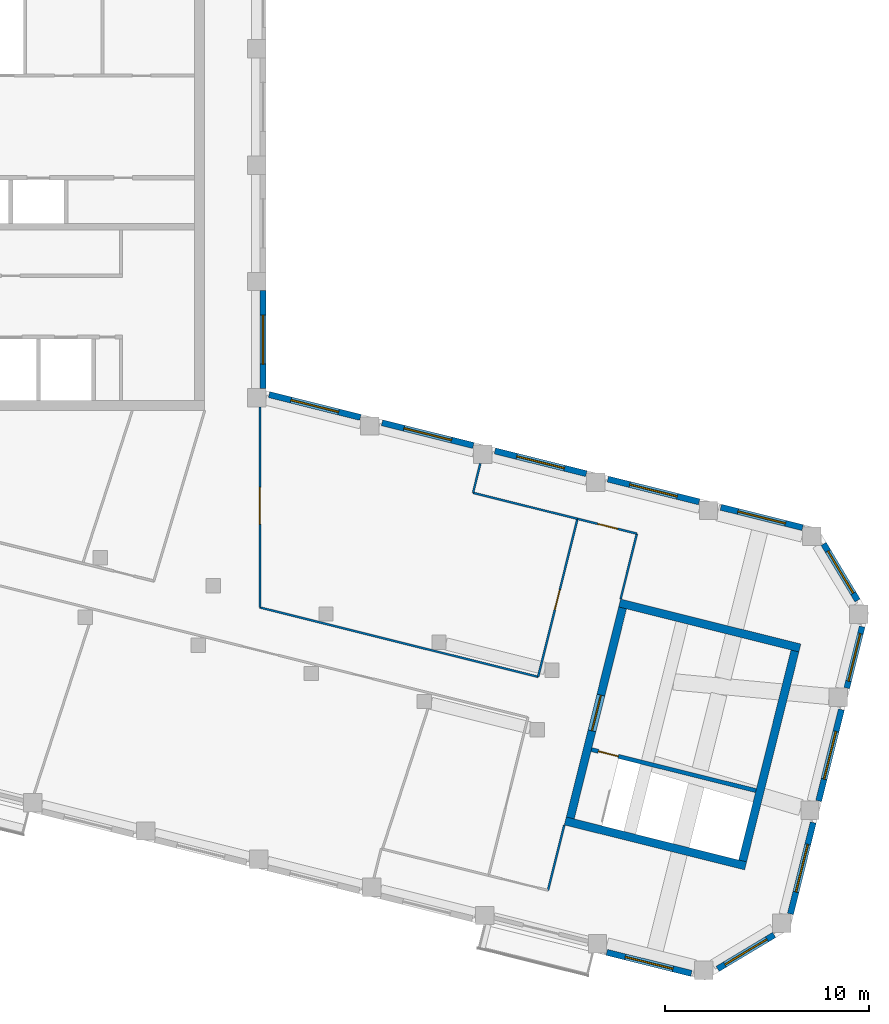
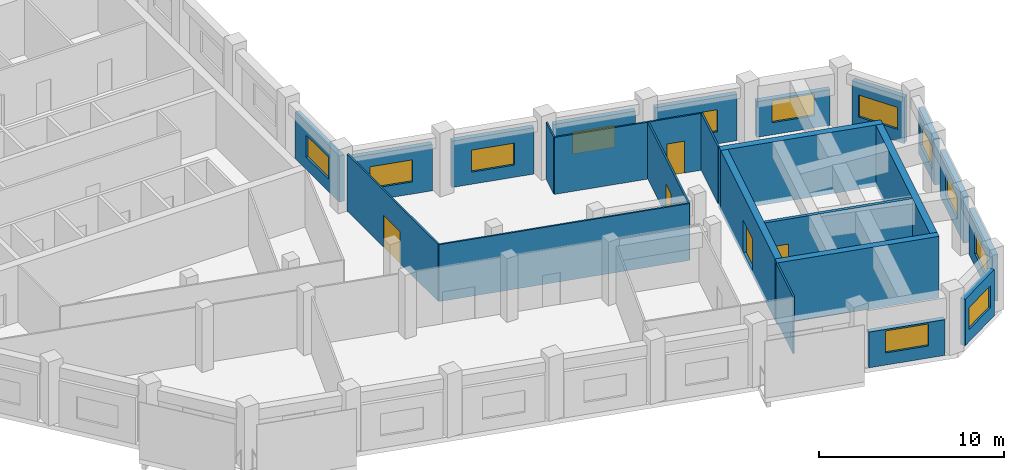
# One storey, part 4 of 8: 25 walls, 12 windows, 5 doors, 17 openings.
"""IFC4 building model written with IfcOpenShell, lengths in metres."""

from ifc_helpers import new_model, si_unit, direction, frame, frame_2d, origin, place, context, subcontext, project, spatial, rectangle, extrude, material, layer, layer_set, type_object, element, fill, save


model = new_model("IFC4")

# Units and contexts
model_context = context("Model", 3, precision=1e-05, world=origin(), true_north=direction((0.0, 1.0)))
body_context = subcontext(model_context, "Body", "Model", "MODEL_VIEW")
ifc_project = project(units=[si_unit("LENGTHUNIT", "METRE"), si_unit("AREAUNIT", "SQUARE_METRE"), si_unit("VOLUMEUNIT", "CUBIC_METRE"), si_unit("PLANEANGLEUNIT", "RADIAN"), si_unit("MASSUNIT", "GRAM", prefix="KILO")], contexts=[model_context])

# Site, building, storey
site_placement = place(None, origin())
site = spatial("IfcSite", under=ifc_project, at=site_placement, CompositionType="ELEMENT")
building_placement = place(site_placement, origin())
building = spatial("IfcBuilding", under=site, at=building_placement, Name="Meshkara Civic Tower", CompositionType="ELEMENT")
storey_placement = place(building_placement, frame((0.0, 0.0, 396.0)))
storey = spatial("IfcBuildingStorey", under=building, at=storey_placement, Name="L91", CompositionType="ELEMENT", Elevation=396.0)

# Wall, opening, door
ifc_material_1 = material(Name="Corridor wall 100")
ifc_layer_1 = layer(ifc_material_1, 0.10009765625)
ifc_layer_set_1 = layer_set([ifc_layer_1], Name="Corridor wall 100")
wall_type_1 = type_object("IfcWallType", Name="Corridor wall 100", PredefinedType="PARTITIONING", material=ifc_layer_set_1)
wall_1_placement = place(storey_placement, frame((33.5, 4.4541015625, 0.0), z_axis=(0.0, 0.0, 1.0), x_axis=(0.0, 1.0, 0.0)))
wall_1 = element("IfcWall", 1, at=wall_1_placement, inside=storey, type_object=wall_type_1, Name="L91-W015", PredefinedType="PARTITIONING", context=body_context, shape_type="SweptSolid", body=[
    extrude(rectangle(XDim=9.81494140625, YDim=0.10009765625, at=frame_2d((4.907470703125, 0.0))), origin(), (0.0, 0.0, 1.0), 3.75),
])
opening_1_placement = place(wall_1_placement, frame((4.080078125, 0.0, 0.0)))
opening_1 = element("IfcOpeningElement", 2, at=opening_1_placement, cuts=wall_1, Name="Opening L91-D009", PredefinedType="OPENING", context=body_context, shape_type="SweptSolid", body=[
    extrude(rectangle(XDim=1.800048828125, YDim=2.10009765625, at=frame_2d((0.89990234375, 1.050048828125))), frame((0.0, 0.06005859375, 0.0), z_axis=(0.0, -1.0, 0.0), x_axis=(1.0, 0.0, 0.0)), (0.0, 0.0, 1.0), 0.1201171875),
])
ifc_material_2 = material(Name="Door pair 1800 x 2100")
door_type_1 = type_object("IfcDoorType", Name="Door pair 1800 x 2100", OperationType="SINGLE_SWING_LEFT", PredefinedType="DOOR", material=ifc_material_2)
door_1_placement = place(opening_1_placement, origin())
door_1 = element("IfcDoor", 3, at=door_1_placement, inside=storey, type_object=door_type_1, Name="L91-D009", OperationType="DOUBLE_DOOR_SINGLE_SWING", OverallHeight=2.10009765625, OverallWidth=1.800048828125, PredefinedType="DOOR", context=body_context, shape_type="SweptSolid", body=[
    extrude(rectangle(XDim=1.800048828125, YDim=2.10009765625, at=frame_2d((0.89990234375, 1.050048828125))), frame((0.0, 0.02490234375, 0.0), z_axis=(0.0, -1.0, 0.0), x_axis=(1.0, 0.0, 0.0)), (0.0, 0.0, 1.0), 0.050048828125),
])
fill(opening_1, door_1)

# Walls
wall_2_placement = place(storey_placement, frame((47.1259765625, 1.056884765625, 0.0), z_axis=(0.0, 0.0, 1.0), x_axis=(-0.970297744229, 0.241913801888, 0.0)))
element("IfcWall", 4, at=wall_2_placement, inside=storey, type_object=wall_type_1, Name="L91-W018", PredefinedType="PARTITIONING", context=body_context, shape_type="SweptSolid", body=[
    extrude(rectangle(XDim=14.04296875, YDim=0.10009765625, at=frame_2d((7.021484375, 0.0))), origin(), (0.0, 0.0, 1.0), 3.75),
])
wall_3_placement = place(storey_placement, frame((47.611083984375, -9.39697265625, 0.0), z_axis=(0.0, 0.0, 1.0), x_axis=(0.241786986316, 0.970329352977, 0.0)))
element("IfcWall", 5, at=wall_3_placement, inside=storey, type_object=wall_type_1, Name="L91-W019", PredefinedType="PARTITIONING", context=body_context, shape_type="SweptSolid", body=[
    extrude(rectangle(XDim=3.2998046875, YDim=0.10009765625, at=frame_2d((1.64990234375, 0.0))), origin(), (0.0, 0.0, 1.0), 3.75),
])

# Wall, opening, door
wall_4_placement = place(storey_placement, frame((49.054931640625, 8.7939453125, 0.0), z_axis=(0.0, 0.0, 1.0), x_axis=(-0.241908816319, -0.970298987213, 0.0)))
wall_4 = element("IfcWall", 6, at=wall_4_placement, inside=storey, type_object=wall_type_1, Name="L91-W020", PredefinedType="PARTITIONING", context=body_context, shape_type="SweptSolid", body=[
    extrude(rectangle(XDim=7.973876953125, YDim=0.10009765625, at=frame_2d((3.98681640625, 0.0))), origin(), (0.0, 0.0, 1.0), 3.75),
])
opening_2_placement = place(wall_4_placement, frame((3.580078125, 0.0, 0.0)))
opening_2 = element("IfcOpeningElement", 7, at=opening_2_placement, cuts=wall_4, Name="Opening L91-D005", PredefinedType="OPENING", context=body_context, shape_type="SweptSolid", body=[
    extrude(rectangle(XDim=1.0, YDim=2.10009765625, at=frame_2d((0.5, 1.050048828125))), frame((0.0, 0.06005859375, 0.0), z_axis=(0.0, -1.0, 0.0), x_axis=(1.0, 0.0, 0.0)), (0.0, 0.0, 1.0), 0.1201171875),
])
ifc_material_3 = material(Name="Door 1000 x 2100")
door_type_2 = type_object("IfcDoorType", Name="Door 1000 x 2100", OperationType="SINGLE_SWING_LEFT", PredefinedType="DOOR", material=ifc_material_3)
door_2_placement = place(opening_2_placement, origin())
door_2 = element("IfcDoor", 8, at=door_2_placement, inside=storey, type_object=door_type_2, Name="L91-D005", OperationType="SINGLE_SWING_LEFT", OverallHeight=2.10009765625, OverallWidth=1.0, PredefinedType="DOOR", context=body_context, shape_type="SweptSolid", body=[
    extrude(rectangle(XDim=1.0, YDim=2.10009765625, at=frame_2d((0.5, 1.050048828125))), frame((0.0, 0.02490234375, 0.0), z_axis=(0.0, -1.0, 0.0), x_axis=(1.0, 0.0, 0.0)), (0.0, 0.0, 1.0), 0.050048828125),
])
fill(opening_2, door_2)

# Wall
wall_5_placement = place(storey_placement, frame((51.1669921875, 4.865966796875, 0.0), z_axis=(0.0, 0.0, 1.0), x_axis=(0.241839284064, 0.97031631991, 0.0)))
element("IfcWall", 9, at=wall_5_placement, inside=storey, type_object=wall_type_1, Name="L91-W021", PredefinedType="PARTITIONING", context=body_context, shape_type="SweptSolid", body=[
    extrude(rectangle(XDim=3.300048828125, YDim=0.10009765625, at=frame_2d((1.64990234375, 0.0))), origin(), (0.0, 0.0, 1.0), 3.75),
])

# Wall, opening, door
wall_6_placement = place(storey_placement, frame((51.965087890625, 8.068115234375, 0.0), z_axis=(0.0, 0.0, 1.0), x_axis=(-0.970276420912, 0.241999312028, 0.0)))
wall_6 = element("IfcWall", 10, at=wall_6_placement, inside=storey, type_object=wall_type_1, Name="L91-W022", PredefinedType="PARTITIONING", context=body_context, shape_type="SweptSolid", body=[
    extrude(rectangle(XDim=2.999267578125, YDim=0.10009765625, at=frame_2d((1.49951171875, 0.0))), origin(), (0.0, 0.0, 1.0), 3.75),
])
opening_3_placement = place(wall_6_placement, frame((0.97998046875, 0.0, 0.0)))
opening_3 = element("IfcOpeningElement", 11, at=opening_3_placement, cuts=wall_6, Name="Opening L91-D010", PredefinedType="OPENING", context=body_context, shape_type="SweptSolid", body=[
    extrude(rectangle(XDim=1.0, YDim=2.10009765625, at=frame_2d((0.5, 1.050048828125))), frame((0.0, 0.06005859375, 0.0), z_axis=(0.0, -1.0, 0.0), x_axis=(1.0, 0.0, 0.0)), (0.0, 0.0, 1.0), 0.1201171875),
])
door_3_placement = place(opening_3_placement, origin())
door_3 = element("IfcDoor", 12, at=door_3_placement, inside=storey, type_object=door_type_2, Name="L91-D010", OperationType="SINGLE_SWING_RIGHT", OverallHeight=2.10009765625, OverallWidth=1.0, PredefinedType="DOOR", context=body_context, shape_type="SweptSolid", body=[
    extrude(rectangle(XDim=1.0, YDim=2.10009765625, at=frame_2d((0.5, 1.050048828125))), frame((0.0, 0.02490234375, 0.0), z_axis=(0.0, -1.0, 0.0), x_axis=(1.0, 0.0, 0.0)), (0.0, 0.0, 1.0), 0.050048828125),
])
fill(opening_3, door_3)

# Wall, opening, window
ifc_material_4 = material(Name="Insulated infill panel with bronze anodised aluminium cladding", Category="aluminium")
ifc_layer_2 = layer(ifc_material_4, 0.300048828125)
ifc_layer_set_2 = layer_set([ifc_layer_2], Name="EXTERNAL INFILL WALL 300")
wall_type_2 = type_object("IfcWallType", Name="EXTERNAL INFILL WALL 300", PredefinedType="SOLIDWALL", material=ifc_layer_set_2)
wall_7_placement = place(storey_placement, frame((60.075927734375, 8.364990234375, 0.0), z_axis=(0.0, 0.0, 1.0), x_axis=(-0.970323340708, 0.24181111322, 0.0)))
wall_7 = element("IfcWall", 13, at=wall_7_placement, inside=storey, type_object=wall_type_2, Name="External wall", PredefinedType="SOLIDWALL", context=body_context, shape_type="SweptSolid", body=[
    extrude(rectangle(XDim=4.123291015625, YDim=0.300048828125, at=frame_2d((2.0615234375, 0.0))), origin(), (0.0, 0.0, 1.0), 2.35009765625),
])
opening_4_placement = place(wall_7_placement, frame((0.862060546875, 0.0, 0.800048828125)))
opening_4 = element("IfcOpeningElement", 14, at=opening_4_placement, cuts=wall_7, Name="Opening W8", PredefinedType="OPENING", context=body_context, shape_type="SweptSolid", body=[
    extrude(rectangle(XDim=2.39990234375, YDim=1.449951171875, at=frame_2d((1.199951171875, 0.72509765625))), frame((0.0, 0.159912109375, 0.0), z_axis=(0.0, -1.0, 0.0), x_axis=(1.0, 0.0, 0.0)), (0.0, 0.0, 1.0), 0.320068359375),
])
ifc_material_5 = material(Name="Tinted double glazing", Category="glass")
window_type = type_object("IfcWindowType", Name="WINDOW 2400x1450", PartitioningType="DOUBLE_PANEL_VERTICAL", PredefinedType="WINDOW", material=ifc_material_5)
window_1_placement = place(opening_4_placement, origin())
window_1 = element("IfcWindow", 15, at=window_1_placement, inside=storey, type_object=window_type, Name="Window", OverallHeight=1.449951171875, OverallWidth=2.39990234375, PartitioningType="DOUBLE_PANEL_VERTICAL", PredefinedType="WINDOW", context=body_context, shape_type="SweptSolid", body=[
    extrude(rectangle(XDim=2.39990234375, YDim=1.449951171875, at=frame_2d((1.199951171875, 0.72509765625))), frame((0.0, 0.030029296875, 0.0), z_axis=(0.0, -1.0, 0.0), x_axis=(1.0, 0.0, 0.0)), (0.0, 0.0, 1.0), 0.06005859375),
])
fill(opening_4, window_1)

wall_8_placement = place(storey_placement, frame((55.01611328125, 9.6259765625, 0.0), z_axis=(0.0, 0.0, 1.0), x_axis=(-0.970298093093, 0.241912402618, 0.0)))
wall_8 = element("IfcWall", 16, at=wall_8_placement, inside=storey, type_object=wall_type_2, Name="External wall", PredefinedType="SOLIDWALL", context=body_context, shape_type="SweptSolid", body=[
    extrude(rectangle(XDim=4.609130859375, YDim=0.300048828125, at=frame_2d((2.3046875, 0.0))), origin(), (0.0, 0.0, 1.0), 3.050048828125),
])
opening_5_placement = place(wall_8_placement, frame((1.10498046875, 0.0, 0.800048828125)))
opening_5 = element("IfcOpeningElement", 17, at=opening_5_placement, cuts=wall_8, Name="Opening W8", PredefinedType="OPENING", context=body_context, shape_type="SweptSolid", body=[
    extrude(rectangle(XDim=2.39990234375, YDim=1.449951171875, at=frame_2d((1.199951171875, 0.72509765625))), frame((0.0, 0.159912109375, 0.0), z_axis=(0.0, -1.0, 0.0), x_axis=(1.0, 0.0, 0.0)), (0.0, 0.0, 1.0), 0.320068359375),
])
window_2_placement = place(opening_5_placement, origin())
window_2 = element("IfcWindow", 18, at=window_2_placement, inside=storey, type_object=window_type, Name="Window", OverallHeight=1.449951171875, OverallWidth=2.39990234375, PartitioningType="DOUBLE_PANEL_VERTICAL", PredefinedType="WINDOW", context=body_context, shape_type="SweptSolid", body=[
    extrude(rectangle(XDim=2.39990234375, YDim=1.449951171875, at=frame_2d((1.199951171875, 0.72509765625))), frame((0.0, 0.030029296875, 0.0), z_axis=(0.0, -1.0, 0.0), x_axis=(1.0, 0.0, 0.0)), (0.0, 0.0, 1.0), 0.06005859375),
])
fill(opening_5, window_2)

wall_9_placement = place(storey_placement, frame((49.485107421875, 11.0048828125, 0.0), z_axis=(0.0, 0.0, 1.0), x_axis=(-0.970235897967, 0.242161727563, 0.0)))
wall_9 = element("IfcWall", 19, at=wall_9_placement, inside=storey, type_object=wall_type_2, Name="External wall", PredefinedType="SOLIDWALL", context=body_context, shape_type="SweptSolid", body=[
    extrude(rectangle(XDim=4.609375, YDim=0.300048828125, at=frame_2d((2.3046875, 0.0))), origin(), (0.0, 0.0, 1.0), 3.050048828125),
])
opening_6_placement = place(wall_9_placement, frame((1.10498046875, 0.0, 0.800048828125)))
opening_6 = element("IfcOpeningElement", 20, at=opening_6_placement, cuts=wall_9, Name="Opening W8", PredefinedType="OPENING", context=body_context, shape_type="SweptSolid", body=[
    extrude(rectangle(XDim=2.39990234375, YDim=1.449951171875, at=frame_2d((1.199951171875, 0.72509765625))), frame((0.0, 0.159912109375, 0.0), z_axis=(0.0, -1.0, 0.0), x_axis=(1.0, 0.0, 0.0)), (0.0, 0.0, 1.0), 0.320068359375),
])
window_3_placement = place(opening_6_placement, origin())
window_3 = element("IfcWindow", 21, at=window_3_placement, inside=storey, type_object=window_type, Name="Window", OverallHeight=1.449951171875, OverallWidth=2.39990234375, PartitioningType="DOUBLE_PANEL_VERTICAL", PredefinedType="WINDOW", context=body_context, shape_type="SweptSolid", body=[
    extrude(rectangle(XDim=2.39990234375, YDim=1.449951171875, at=frame_2d((1.199951171875, 0.72509765625))), frame((0.0, 0.030029296875, 0.0), z_axis=(0.0, -1.0, 0.0), x_axis=(1.0, 0.0, 0.0)), (0.0, 0.0, 1.0), 0.06005859375),
])
fill(opening_6, window_3)

wall_10_placement = place(storey_placement, frame((43.9541015625, 12.384033203125, 0.0), z_axis=(0.0, 0.0, 1.0), x_axis=(-0.970285689791, 0.241962146187, 0.0)))
wall_10 = element("IfcWall", 22, at=wall_10_placement, inside=storey, type_object=wall_type_2, Name="External wall", PredefinedType="SOLIDWALL", context=body_context, shape_type="SweptSolid", body=[
    extrude(rectangle(XDim=4.608154296875, YDim=0.300048828125, at=frame_2d((2.30419921875, 0.0))), origin(), (0.0, 0.0, 1.0), 3.050048828125),
])
opening_7_placement = place(wall_10_placement, frame((1.10400390625, 0.0, 0.800048828125)))
opening_7 = element("IfcOpeningElement", 23, at=opening_7_placement, cuts=wall_10, Name="Opening W8", PredefinedType="OPENING", context=body_context, shape_type="SweptSolid", body=[
    extrude(rectangle(XDim=2.39990234375, YDim=1.449951171875, at=frame_2d((1.199951171875, 0.72509765625))), frame((0.0, 0.159912109375, 0.0), z_axis=(0.0, -1.0, 0.0), x_axis=(1.0, 0.0, 0.0)), (0.0, 0.0, 1.0), 0.320068359375),
])
window_4_placement = place(opening_7_placement, origin())
window_4 = element("IfcWindow", 24, at=window_4_placement, inside=storey, type_object=window_type, Name="Window", OverallHeight=1.449951171875, OverallWidth=2.39990234375, PartitioningType="DOUBLE_PANEL_VERTICAL", PredefinedType="WINDOW", context=body_context, shape_type="SweptSolid", body=[
    extrude(rectangle(XDim=2.39990234375, YDim=1.449951171875, at=frame_2d((1.199951171875, 0.72509765625))), frame((0.0, 0.030029296875, 0.0), z_axis=(0.0, -1.0, 0.0), x_axis=(1.0, 0.0, 0.0)), (0.0, 0.0, 1.0), 0.06005859375),
])
fill(opening_7, window_4)

wall_11_placement = place(storey_placement, frame((38.424072265625, 13.762939453125, 0.0), z_axis=(0.0, 0.0, 1.0), x_axis=(-0.970248341479, 0.24211186641, 0.0)))
wall_11 = element("IfcWall", 25, at=wall_11_placement, inside=storey, type_object=wall_type_2, Name="External wall", PredefinedType="SOLIDWALL", context=body_context, shape_type="SweptSolid", body=[
    extrude(rectangle(XDim=4.609375, YDim=0.300048828125, at=frame_2d((2.3046875, 0.0))), origin(), (0.0, 0.0, 1.0), 3.050048828125),
])
opening_8_placement = place(wall_11_placement, frame((1.10498046875, 0.0, 0.800048828125)))
opening_8 = element("IfcOpeningElement", 26, at=opening_8_placement, cuts=wall_11, Name="Opening W8", PredefinedType="OPENING", context=body_context, shape_type="SweptSolid", body=[
    extrude(rectangle(XDim=2.39990234375, YDim=1.449951171875, at=frame_2d((1.199951171875, 0.72509765625))), frame((0.0, 0.159912109375, 0.0), z_axis=(0.0, -1.0, 0.0), x_axis=(1.0, 0.0, 0.0)), (0.0, 0.0, 1.0), 0.320068359375),
])
window_5_placement = place(opening_8_placement, origin())
window_5 = element("IfcWindow", 27, at=window_5_placement, inside=storey, type_object=window_type, Name="Window", OverallHeight=1.449951171875, OverallWidth=2.39990234375, PartitioningType="DOUBLE_PANEL_VERTICAL", PredefinedType="WINDOW", context=body_context, shape_type="SweptSolid", body=[
    extrude(rectangle(XDim=2.39990234375, YDim=1.449951171875, at=frame_2d((1.199951171875, 0.72509765625))), frame((0.0, 0.030029296875, 0.0), z_axis=(0.0, -1.0, 0.0), x_axis=(1.0, 0.0, 0.0)), (0.0, 0.0, 1.0), 0.06005859375),
])
fill(opening_8, window_5)

wall_12_placement = place(storey_placement, frame((33.64990234375, 15.1689453125, 0.0), z_axis=(0.0, 0.0, 1.0), x_axis=(0.0, 1.0, 0.0)))
wall_12 = element("IfcWall", 28, at=wall_12_placement, inside=storey, type_object=wall_type_2, Name="External wall", PredefinedType="SOLIDWALL", context=body_context, shape_type="SweptSolid", body=[
    extrude(rectangle(XDim=4.800048828125, YDim=0.300048828125, at=frame_2d((2.39990234375, 0.0))), origin(), (0.0, 0.0, 1.0), 3.050048828125),
])
opening_9_placement = place(wall_12_placement, frame((1.199951171875, 0.0, 0.800048828125)))
opening_9 = element("IfcOpeningElement", 29, at=opening_9_placement, cuts=wall_12, Name="Opening W8", PredefinedType="OPENING", context=body_context, shape_type="SweptSolid", body=[
    extrude(rectangle(XDim=2.39990234375, YDim=1.449951171875, at=frame_2d((1.199951171875, 0.72509765625))), frame((0.0, 0.159912109375, 0.0), z_axis=(0.0, -1.0, 0.0), x_axis=(1.0, 0.0, 0.0)), (0.0, 0.0, 1.0), 0.320068359375),
])
window_6_placement = place(opening_9_placement, origin())
window_6 = element("IfcWindow", 30, at=window_6_placement, inside=storey, type_object=window_type, Name="Window", OverallHeight=1.449951171875, OverallWidth=2.39990234375, PartitioningType="DOUBLE_PANEL_VERTICAL", PredefinedType="WINDOW", context=body_context, shape_type="SweptSolid", body=[
    extrude(rectangle(XDim=2.39990234375, YDim=1.449951171875, at=frame_2d((1.199951171875, 0.72509765625))), frame((0.0, 0.030029296875, 0.0), z_axis=(0.0, -1.0, 0.0), x_axis=(1.0, 0.0, 0.0)), (0.0, 0.0, 1.0), 0.06005859375),
])
fill(opening_9, window_6)

wall_13_placement = place(storey_placement, frame((50.491943359375, -12.43505859375, 0.0), z_axis=(0.0, 0.0, 1.0), x_axis=(0.970323940244, -0.241808707429, 0.0)))
wall_13 = element("IfcWall", 31, at=wall_13_placement, inside=storey, type_object=wall_type_2, Name="External wall", PredefinedType="SOLIDWALL", context=body_context, shape_type="SweptSolid", body=[
    extrude(rectangle(XDim=4.267822265625, YDim=0.300048828125, at=frame_2d((2.1337890625, 0.0))), origin(), (0.0, 0.0, 1.0), 2.35009765625),
])
opening_10_placement = place(wall_13_placement, frame((0.93408203125, 0.0, 0.800048828125)))
opening_10 = element("IfcOpeningElement", 32, at=opening_10_placement, cuts=wall_13, Name="Opening W8", PredefinedType="OPENING", context=body_context, shape_type="SweptSolid", body=[
    extrude(rectangle(XDim=2.39990234375, YDim=1.449951171875, at=frame_2d((1.199951171875, 0.72509765625))), frame((0.0, 0.159912109375, 0.0), z_axis=(0.0, -1.0, 0.0), x_axis=(1.0, 0.0, 0.0)), (0.0, 0.0, 1.0), 0.320068359375),
])
window_7_placement = place(opening_10_placement, origin())
window_7 = element("IfcWindow", 33, at=window_7_placement, inside=storey, type_object=window_type, Name="Window", OverallHeight=1.449951171875, OverallWidth=2.39990234375, PartitioningType="DOUBLE_PANEL_VERTICAL", PredefinedType="WINDOW", context=body_context, shape_type="SweptSolid", body=[
    extrude(rectangle(XDim=2.39990234375, YDim=1.449951171875, at=frame_2d((1.199951171875, 0.72509765625))), frame((0.0, 0.030029296875, 0.0), z_axis=(0.0, -1.0, 0.0), x_axis=(1.0, 0.0, 0.0)), (0.0, 0.0, 1.0), 0.06005859375),
])
fill(opening_10, window_7)

wall_14_placement = place(storey_placement, frame((55.9189453125, -13.2470703125, 0.0), z_axis=(0.0, 0.0, 1.0), x_axis=(0.857239224167, 0.514918355226, 0.0)))
wall_14 = element("IfcWall", 34, at=wall_14_placement, inside=storey, type_object=wall_type_2, Name="External wall", PredefinedType="SOLIDWALL", context=body_context, shape_type="SweptSolid", body=[
    extrude(rectangle(XDim=3.22802734375, YDim=0.300048828125, at=frame_2d((1.614013671875, 0.0))), origin(), (0.0, 0.0, 1.0), 3.050048828125),
])
opening_11_placement = place(wall_14_placement, frame((0.4140625, 0.0, 0.800048828125)))
opening_11 = element("IfcOpeningElement", 35, at=opening_11_placement, cuts=wall_14, Name="Opening W8", PredefinedType="OPENING", context=body_context, shape_type="SweptSolid", body=[
    extrude(rectangle(XDim=2.39990234375, YDim=1.449951171875, at=frame_2d((1.199951171875, 0.72509765625))), frame((0.0, 0.159912109375, 0.0), z_axis=(0.0, -1.0, 0.0), x_axis=(1.0, 0.0, 0.0)), (0.0, 0.0, 1.0), 0.320068359375),
])
window_8_placement = place(opening_11_placement, origin())
window_8 = element("IfcWindow", 36, at=window_8_placement, inside=storey, type_object=window_type, Name="Window", OverallHeight=1.449951171875, OverallWidth=2.39990234375, PartitioningType="DOUBLE_PANEL_VERTICAL", PredefinedType="WINDOW", context=body_context, shape_type="SweptSolid", body=[
    extrude(rectangle(XDim=2.39990234375, YDim=1.449951171875, at=frame_2d((1.199951171875, 0.72509765625))), frame((0.0, 0.030029296875, 0.0), z_axis=(0.0, -1.0, 0.0), x_axis=(1.0, 0.0, 0.0)), (0.0, 0.0, 1.0), 0.06005859375),
])
fill(opening_11, window_8)

wall_15_placement = place(storey_placement, frame((59.485107421875, -10.552001953125, 0.0), z_axis=(0.0, 0.0, 1.0), x_axis=(0.241924836652, 0.970294992984, 0.0)))
wall_15 = element("IfcWall", 37, at=wall_15_placement, inside=storey, type_object=wall_type_2, Name="External wall", PredefinedType="SOLIDWALL", context=body_context, shape_type="SweptSolid", body=[
    extrude(rectangle(XDim=4.60888671875, YDim=0.300048828125, at=frame_2d((2.304443359375, 0.0))), origin(), (0.0, 0.0, 1.0), 3.050048828125),
])
opening_12_placement = place(wall_15_placement, frame((1.10498046875, 0.0, 0.800048828125)))
opening_12 = element("IfcOpeningElement", 38, at=opening_12_placement, cuts=wall_15, Name="Opening W8", PredefinedType="OPENING", context=body_context, shape_type="SweptSolid", body=[
    extrude(rectangle(XDim=2.39990234375, YDim=1.449951171875, at=frame_2d((1.199951171875, 0.72509765625))), frame((0.0, 0.159912109375, 0.0), z_axis=(0.0, -1.0, 0.0), x_axis=(1.0, 0.0, 0.0)), (0.0, 0.0, 1.0), 0.320068359375),
])
window_9_placement = place(opening_12_placement, origin())
window_9 = element("IfcWindow", 39, at=window_9_placement, inside=storey, type_object=window_type, Name="Window", OverallHeight=1.449951171875, OverallWidth=2.39990234375, PartitioningType="DOUBLE_PANEL_VERTICAL", PredefinedType="WINDOW", context=body_context, shape_type="SweptSolid", body=[
    extrude(rectangle(XDim=2.39990234375, YDim=1.449951171875, at=frame_2d((1.199951171875, 0.72509765625))), frame((0.0, 0.030029296875, 0.0), z_axis=(0.0, -1.0, 0.0), x_axis=(1.0, 0.0, 0.0)), (0.0, 0.0, 1.0), 0.06005859375),
])
fill(opening_12, window_9)

wall_16_placement = place(storey_placement, frame((60.864013671875, -5.02099609375, 0.0), z_axis=(0.0, 0.0, 1.0), x_axis=(0.241775045801, 0.97033232824, 0.0)))
wall_16 = element("IfcWall", 40, at=wall_16_placement, inside=storey, type_object=wall_type_2, Name="External wall", PredefinedType="SOLIDWALL", context=body_context, shape_type="SweptSolid", body=[
    extrude(rectangle(XDim=4.607666015625, YDim=0.300048828125, at=frame_2d((2.3037109375, 0.0))), origin(), (0.0, 0.0, 1.0), 3.050048828125),
])
opening_13_placement = place(wall_16_placement, frame((1.10400390625, 0.0, 0.800048828125)))
opening_13 = element("IfcOpeningElement", 41, at=opening_13_placement, cuts=wall_16, Name="Opening W8", PredefinedType="OPENING", context=body_context, shape_type="SweptSolid", body=[
    extrude(rectangle(XDim=2.39990234375, YDim=1.449951171875, at=frame_2d((1.199951171875, 0.72509765625))), frame((0.0, 0.159912109375, 0.0), z_axis=(0.0, -1.0, 0.0), x_axis=(1.0, 0.0, 0.0)), (0.0, 0.0, 1.0), 0.320068359375),
])
window_10_placement = place(opening_13_placement, origin())
window_10 = element("IfcWindow", 42, at=window_10_placement, inside=storey, type_object=window_type, Name="Window", OverallHeight=1.449951171875, OverallWidth=2.39990234375, PartitioningType="DOUBLE_PANEL_VERTICAL", PredefinedType="WINDOW", context=body_context, shape_type="SweptSolid", body=[
    extrude(rectangle(XDim=2.39990234375, YDim=1.449951171875, at=frame_2d((1.199951171875, 0.72509765625))), frame((0.0, 0.030029296875, 0.0), z_axis=(0.0, -1.0, 0.0), x_axis=(1.0, 0.0, 0.0)), (0.0, 0.0, 1.0), 0.06005859375),
])
fill(opening_13, window_10)

wall_17_placement = place(storey_placement, frame((62.241943359375, 0.509033203125, 0.0), z_axis=(0.0, 0.0, 1.0), x_axis=(0.241941811838, 0.970290760383, 0.0)))
wall_17 = element("IfcWall", 43, at=wall_17_placement, inside=storey, type_object=wall_type_2, Name="External wall", PredefinedType="SOLIDWALL", context=body_context, shape_type="SweptSolid", body=[
    extrude(rectangle(XDim=3.095947265625, YDim=0.300048828125, at=frame_2d((1.5478515625, 0.0))), origin(), (0.0, 0.0, 1.0), 3.050048828125),
])
opening_14_placement = place(wall_17_placement, frame((0.347900390625, 0.0, 0.800048828125)))
opening_14 = element("IfcOpeningElement", 44, at=opening_14_placement, cuts=wall_17, Name="Opening W8", PredefinedType="OPENING", context=body_context, shape_type="SweptSolid", body=[
    extrude(rectangle(XDim=2.39990234375, YDim=1.449951171875, at=frame_2d((1.199951171875, 0.72509765625))), frame((0.0, 0.159912109375, 0.0), z_axis=(0.0, -1.0, 0.0), x_axis=(1.0, 0.0, 0.0)), (0.0, 0.0, 1.0), 0.320068359375),
])
window_11_placement = place(opening_14_placement, origin())
window_11 = element("IfcWindow", 45, at=window_11_placement, inside=storey, type_object=window_type, Name="Window", OverallHeight=1.449951171875, OverallWidth=2.39990234375, PartitioningType="DOUBLE_PANEL_VERTICAL", PredefinedType="WINDOW", context=body_context, shape_type="SweptSolid", body=[
    extrude(rectangle(XDim=2.39990234375, YDim=1.449951171875, at=frame_2d((1.199951171875, 0.72509765625))), frame((0.0, 0.030029296875, 0.0), z_axis=(0.0, -1.0, 0.0), x_axis=(1.0, 0.0, 0.0)), (0.0, 0.0, 1.0), 0.06005859375),
])
fill(opening_14, window_11)

wall_18_placement = place(storey_placement, frame((62.77099609375, 4.799072265625, 0.0), z_axis=(0.0, 0.0, 1.0), x_axis=(-0.514951742604, 0.857219168468, 0.0)))
wall_18 = element("IfcWall", 46, at=wall_18_placement, inside=storey, type_object=wall_type_2, Name="External wall", PredefinedType="SOLIDWALL", context=body_context, shape_type="SweptSolid", body=[
    extrude(rectangle(XDim=3.227783203125, YDim=0.300048828125, at=frame_2d((1.61376953125, 0.0))), origin(), (0.0, 0.0, 1.0), 3.050048828125),
])
opening_15_placement = place(wall_18_placement, frame((0.4140625, 0.0, 0.800048828125)))
opening_15 = element("IfcOpeningElement", 47, at=opening_15_placement, cuts=wall_18, Name="Opening W8", PredefinedType="OPENING", context=body_context, shape_type="SweptSolid", body=[
    extrude(rectangle(XDim=2.39990234375, YDim=1.449951171875, at=frame_2d((1.199951171875, 0.72509765625))), frame((0.0, 0.159912109375, 0.0), z_axis=(0.0, -1.0, 0.0), x_axis=(1.0, 0.0, 0.0)), (0.0, 0.0, 1.0), 0.320068359375),
])
window_12_placement = place(opening_15_placement, origin())
window_12 = element("IfcWindow", 48, at=window_12_placement, inside=storey, type_object=window_type, Name="Window", OverallHeight=1.449951171875, OverallWidth=2.39990234375, PartitioningType="DOUBLE_PANEL_VERTICAL", PredefinedType="WINDOW", context=body_context, shape_type="SweptSolid", body=[
    extrude(rectangle(XDim=2.39990234375, YDim=1.449951171875, at=frame_2d((1.199951171875, 0.72509765625))), frame((0.0, 0.030029296875, 0.0), z_axis=(0.0, -1.0, 0.0), x_axis=(1.0, 0.0, 0.0)), (0.0, 0.0, 1.0), 0.06005859375),
])
fill(opening_15, window_12)

# Walls
ifc_material_6 = material(Name="Concrete C50", Category="concrete")
ifc_layer_3 = layer(ifc_material_6, 0.39990234375)
ifc_layer_set_3 = layer_set([ifc_layer_3], Name="End core ring wall 400 C50")
wall_type_3 = type_object("IfcWallType", Name="End core ring wall 400 C50", PredefinedType="SHEAR", material=ifc_layer_set_3)
wall_19_placement = place(storey_placement, frame((48.4580078125, -6.0009765625, -0.300048828125), z_axis=(0.0, 0.0, 1.0), x_axis=(0.970281225948, -0.241980045814, 0.0)))
element("IfcWall", 49, at=wall_19_placement, inside=storey, type_object=wall_type_3, Name="L91-C032", PredefinedType="SHEAR", context=body_context, shape_type="SweptSolid", body=[
    extrude(rectangle(XDim=9.099609375, YDim=0.39990234375, at=frame_2d((4.5498046875, 0.0))), origin(), (0.0, 0.0, 1.0), 4.050048828125),
])
wall_20_placement = place(storey_placement, frame((51.118896484375, 4.672119140625, -0.300048828125), z_axis=(0.0, 0.0, 1.0), x_axis=(0.970300121521, -0.241904266553, 0.0)))
element("IfcWall", 50, at=wall_20_placement, inside=storey, type_object=wall_type_3, Name="L91-C033", PredefinedType="SHEAR", context=body_context, shape_type="SweptSolid", body=[
    extrude(rectangle(XDim=9.099365234375, YDim=0.39990234375, at=frame_2d((4.5498046875, 0.0))), origin(), (0.0, 0.0, 1.0), 4.050048828125),
])

# Wall, opening, door
wall_21_placement = place(storey_placement, frame((48.699951171875, -5.85595703125, -0.300048828125), z_axis=(0.0, 0.0, 1.0), x_axis=(0.241869030534, 0.970308905488, 0.0)))
wall_21 = element("IfcWall", 51, at=wall_21_placement, inside=storey, type_object=wall_type_3, Name="L91-C034", PredefinedType="SHEAR", context=body_context, shape_type="SweptSolid", body=[
    extrude(rectangle(XDim=10.6005859375, YDim=0.39990234375, at=frame_2d((5.30029296875, 0.0))), origin(), (0.0, 0.0, 1.0), 4.050048828125),
])
opening_16_placement = place(wall_21_placement, frame((4.39990234375, 0.0, 0.300048828125)))
opening_16 = element("IfcOpeningElement", 52, at=opening_16_placement, cuts=wall_21, Name="Opening L91-K202", PredefinedType="OPENING", context=body_context, shape_type="SweptSolid", body=[
    extrude(rectangle(XDim=1.800048828125, YDim=2.10009765625, at=frame_2d((0.89990234375, 1.050048828125))), frame((0.0, 0.2099609375, 0.0), z_axis=(0.0, -1.0, 0.0), x_axis=(1.0, 0.0, 0.0)), (0.0, 0.0, 1.0), 0.419921875),
])
ifc_material_7 = material(Name="Fire-rated door leaf in steel frame", Category="steel")
door_type_3 = type_object("IfcDoorType", Name="Core double door 1800 EI 60", OperationType="DOUBLE_DOOR_SINGLE_SWING", PredefinedType="DOOR", material=ifc_material_7)
door_4_placement = place(opening_16_placement, origin())
door_4 = element("IfcDoor", 53, at=door_4_placement, inside=storey, type_object=door_type_3, Name="L91-K202", OperationType="DOUBLE_DOOR_SINGLE_SWING", OverallHeight=2.10009765625, OverallWidth=1.800048828125, PredefinedType="DOOR", context=body_context, shape_type="SweptSolid", body=[
    extrude(rectangle(XDim=1.800048828125, YDim=2.10009765625, at=frame_2d((0.89990234375, 1.050048828125))), frame((0.0, 0.02490234375, 0.0), z_axis=(0.0, -1.0, 0.0), x_axis=(1.0, 0.0, 0.0)), (0.0, 0.0, 1.0), 0.050048828125),
])
fill(opening_16, door_4)

# Walls
wall_22_placement = place(storey_placement, frame((57.14208984375, -7.9599609375, -0.300048828125), z_axis=(0.0, 0.0, 1.0), x_axis=(0.241890652548, 0.970303515509, 0.0)))
element("IfcWall", 54, at=wall_22_placement, inside=storey, type_object=wall_type_3, Name="L91-C035", PredefinedType="SHEAR", context=body_context, shape_type="SweptSolid", body=[
    extrude(rectangle(XDim=10.599609375, YDim=0.39990234375, at=frame_2d((5.2998046875, 0.0))), origin(), (0.0, 0.0, 1.0), 4.050048828125),
])
ifc_material_8 = material(Name="Partition 100")
ifc_layer_4 = layer(ifc_material_8, 0.10009765625)
ifc_layer_set_4 = layer_set([ifc_layer_4], Name="Partition 100")
wall_type_4 = type_object("IfcWallType", Name="Partition 100", PredefinedType="PARTITIONING", material=ifc_layer_set_4)
wall_23_placement = place(storey_placement, frame((43.93994140625, 10.069091796875, 0.0), z_axis=(0.0, 0.0, 1.0), x_axis=(0.241685038638, 0.970354750645, 0.0)))
element("IfcWall", 55, at=wall_23_placement, inside=storey, type_object=wall_type_4, Name="L91-W033", PredefinedType="PARTITIONING", context=body_context, shape_type="SweptSolid", body=[
    extrude(rectangle(XDim=1.48583984375, YDim=0.10009765625, at=frame_2d((0.742919921875, 0.0))), origin(), (0.0, 0.0, 1.0), 3.75),
])
wall_24_placement = place(storey_placement, frame((49.05908203125, 8.79296875, 0.0), z_axis=(0.0, 0.0, 1.0), x_axis=(-0.970305605625, 0.241882268247, 0.0)))
element("IfcWall", 56, at=wall_24_placement, inside=storey, type_object=wall_type_4, Name="L91-W034", PredefinedType="PARTITIONING", context=body_context, shape_type="SweptSolid", body=[
    extrude(rectangle(XDim=5.27587890625, YDim=0.10009765625, at=frame_2d((2.637939453125, 0.0))), origin(), (0.0, 0.0, 1.0), 3.75),
])

# Wall, opening, door
ifc_material_9 = material(Name="Concrete C40/50", Category="concrete")
ifc_layer_5 = layer(ifc_material_9, 0.199951171875)
ifc_layer_set_5 = layer_set([ifc_layer_5], Name="Stair enclosure wall 200 C40/50")
wall_type_5 = type_object("IfcWallType", Name="Stair enclosure wall 200 C40/50", PredefinedType="SOLIDWALL", material=ifc_layer_set_5)
wall_25_placement = place(storey_placement, frame((49.740966796875, -2.508056640625, 0.0), z_axis=(0.0, 0.0, 1.0), x_axis=(0.970289402158, -0.241947258837, 0.0)))
wall_25 = element("IfcWall", 57, at=wall_25_placement, inside=storey, type_object=wall_type_5, Name="L91-C036", PredefinedType="SOLIDWALL", context=body_context, shape_type="SweptSolid", body=[
    extrude(rectangle(XDim=8.299560546875, YDim=0.199951171875, at=frame_2d((4.14990234375, 0.0))), origin(), (0.0, 0.0, 1.0), 3.75),
])
opening_17_placement = place(wall_25_placement, frame((0.35009765625, 0.0, 0.0)))
opening_17 = element("IfcOpeningElement", 58, at=opening_17_placement, cuts=wall_25, Name="Opening L91-K201", PredefinedType="OPENING", context=body_context, shape_type="SweptSolid", body=[
    extrude(rectangle(XDim=1.0, YDim=2.10009765625, at=frame_2d((0.5, 1.050048828125))), frame((0.0, 0.10986328125, 0.0), z_axis=(0.0, -1.0, 0.0), x_axis=(1.0, 0.0, 0.0)), (0.0, 0.0, 1.0), 0.219970703125),
])
ifc_material_10 = material(Name="Fire-rated door leaf in steel frame", Category="steel")
door_type_4 = type_object("IfcDoorType", Name="Stair door 1000 EI 120", OperationType="SINGLE_SWING_LEFT", PredefinedType="DOOR", material=ifc_material_10)
door_5_placement = place(opening_17_placement, origin())
door_5 = element("IfcDoor", 59, at=door_5_placement, inside=storey, type_object=door_type_4, Name="L91-K201", OperationType="SINGLE_SWING_LEFT", OverallHeight=2.10009765625, OverallWidth=1.0, PredefinedType="DOOR", context=body_context, shape_type="SweptSolid", body=[
    extrude(rectangle(XDim=1.0, YDim=2.10009765625, at=frame_2d((0.5, 1.050048828125))), frame((0.0, 0.02490234375, 0.0), z_axis=(0.0, -1.0, 0.0), x_axis=(1.0, 0.0, 0.0)), (0.0, 0.0, 1.0), 0.050048828125),
])
fill(opening_17, door_5)

save(model, "model.ifc")
